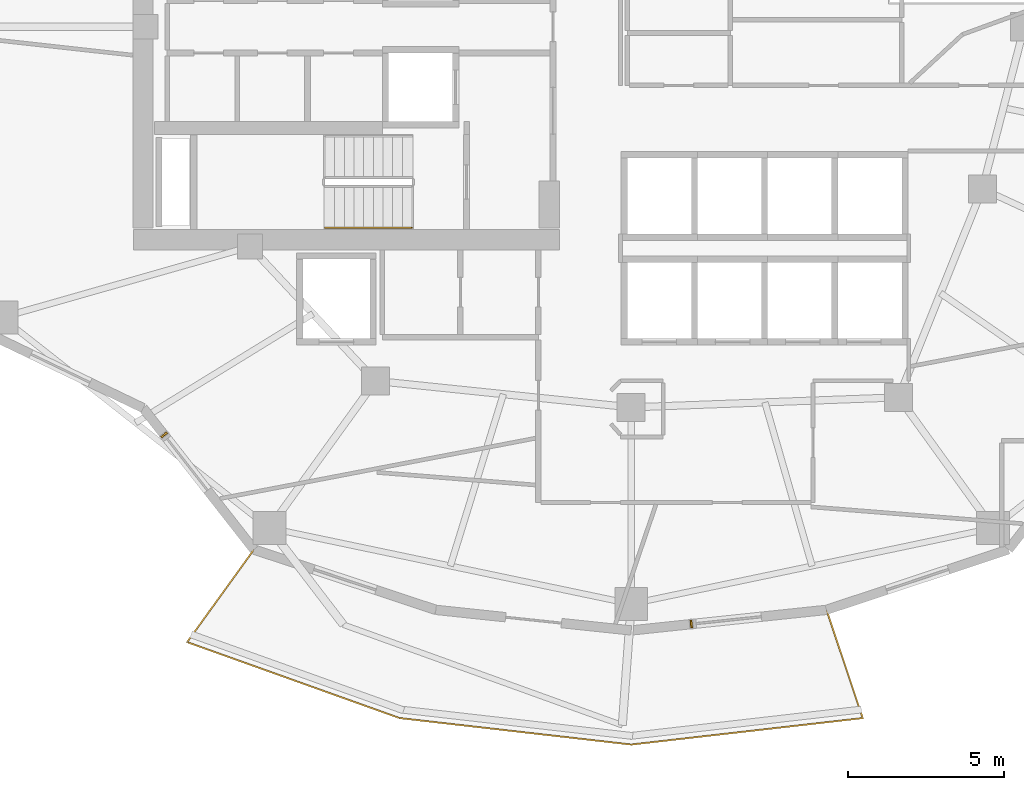
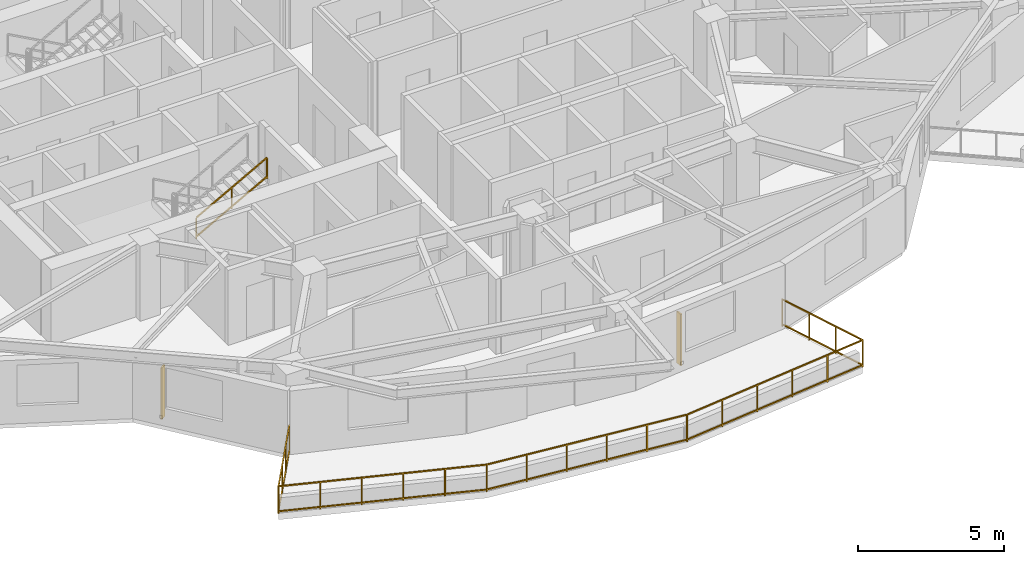
# One storey, part 10 of 14: 2 railings, 2 shading devices.
"""IFC4 building model written with IfcOpenShell, lengths in metres."""

from ifc_helpers import new_model, si_unit, direction, frame, origin, origin_2d, place, context, subcontext, project, spatial, rectangle, extrude, material, type_object, element, save


model = new_model("IFC4")

# Units and contexts
model_context = context("Model", 3, precision=1e-05, world=origin(), true_north=direction((0.0, 1.0)))
body_context = subcontext(model_context, "Body", "Model", "MODEL_VIEW")
ifc_project = project(units=[si_unit("LENGTHUNIT", "METRE"), si_unit("AREAUNIT", "SQUARE_METRE"), si_unit("VOLUMEUNIT", "CUBIC_METRE"), si_unit("PLANEANGLEUNIT", "RADIAN"), si_unit("MASSUNIT", "GRAM", prefix="KILO")], contexts=[model_context])

# Site, building, storey
site_placement = place(None, origin())
site = spatial("IfcSite", under=ifc_project, at=site_placement, CompositionType="ELEMENT")
building_placement = place(site_placement, origin())
building = spatial("IfcBuilding", under=site, at=building_placement, Name="Kolvaren Gate Tower and Convention Centre", CompositionType="ELEMENT")
storey_placement = place(building_placement, frame((0.0, 0.0, 112.10009765625)))
storey = spatial("IfcBuildingStorey", under=building, at=storey_placement, Name="L27", CompositionType="ELEMENT", Elevation=112.10009765625)

# Railings
ifc_material_1 = material(Name="Brushed Stainless Steel Grade 316L", Category="steel")
railing_type_1 = type_object("IfcRailingType", Name="ARCH-RL-GUARD-1150", PredefinedType="GUARDRAIL", material=ifc_material_1)
railing_1_placement = place(storey_placement, frame((18.03125, 10.242431640625, 0.0)))
element("IfcRailing", 1, at=railing_1_placement, inside=storey, type_object=railing_type_1, Name="Tower L27 Terrace Perimeter Guardrail GR-3", PredefinedType="GUARDRAIL", context=body_context, shape_type="SweptSolid", body=[
    extrude(rectangle(XDim=0.048095703125, YDim=0.048095703125, at=origin_2d()), frame((-0.016357421875, -0.022705078125, 1.1259765625), z_axis=(-0.585212870465, -0.810879705161, 0.0), x_axis=(0.810879705161, -0.585212870465, 0.0)), (0.0, 0.0, 1.0), 3.603759765625),
    extrude(rectangle(XDim=0.048095703125, YDim=0.048095703125, at=origin_2d()), frame((-0.016357421875, -0.022705078125, 0.083984375), z_axis=(-0.585212870465, -0.810879705161, 0.0), x_axis=(0.810879705161, -0.585212870465, 0.0)), (0.0, 0.0, 1.0), 3.603759765625),
    extrude(rectangle(XDim=0.048095703125, YDim=0.048095703125, at=origin_2d()), frame((-2.115478515625, -2.977294921875, 1.1259765625), z_axis=(0.941628873241, -0.336652736627, 0.0), x_axis=(0.336652736627, 0.941628873241, 0.0)), (0.0, 0.0, 1.0), 7.17919921875),
    extrude(rectangle(XDim=0.048095703125, YDim=0.048095703125, at=origin_2d()), frame((-2.115478515625, -2.977294921875, 0.083984375), z_axis=(0.941628873241, -0.336652736627, 0.0), x_axis=(0.336652736627, 0.941628873241, 0.0)), (0.0, 0.0, 1.0), 7.17919921875),
    extrude(rectangle(XDim=0.048095703125, YDim=0.048095703125, at=origin_2d()), frame((4.698974609375, -5.40673828125, 1.1259765625), z_axis=(0.993523927361, -0.113623086387, 0.0), x_axis=(0.113623086387, 0.993523927361, 0.0)), (0.0, 0.0, 1.0), 7.414794921875),
    extrude(rectangle(XDim=0.048095703125, YDim=0.048095703125, at=origin_2d()), frame((4.698974609375, -5.40673828125, 0.083984375), z_axis=(0.993523927361, -0.113623086387, 0.0), x_axis=(0.113623086387, 0.993523927361, 0.0)), (0.0, 0.0, 1.0), 7.414794921875),
    extrude(rectangle(XDim=0.048095703125, YDim=0.048095703125, at=origin_2d()), frame((12.12158203125, -6.249267578125, 1.1259765625), z_axis=(0.993523927361, 0.113623086387, 0.0), x_axis=(-0.113623086387, 0.993523927361, 0.0)), (0.0, 0.0, 1.0), 7.414794921875),
    extrude(rectangle(XDim=0.048095703125, YDim=0.048095703125, at=origin_2d()), frame((12.12158203125, -6.249267578125, 0.083984375), z_axis=(0.993523927361, 0.113623086387, 0.0), x_axis=(-0.113623086387, 0.993523927361, 0.0)), (0.0, 0.0, 1.0), 7.414794921875),
    extrude(rectangle(XDim=0.048095703125, YDim=0.048095703125, at=origin_2d()), frame((19.507568359375, -5.376953125, 1.1259765625), z_axis=(-0.317588247294, 0.948228719867, 0.0), x_axis=(-0.948228719867, -0.317588247294, 0.0)), (0.0, 0.0, 1.0), 3.603759765625),
    extrude(rectangle(XDim=0.048095703125, YDim=0.048095703125, at=origin_2d()), frame((19.507568359375, -5.376953125, 0.083984375), z_axis=(-0.317588247294, 0.948228719867, 0.0), x_axis=(-0.948228719867, -0.317588247294, 0.0)), (0.0, 0.0, 1.0), 3.603759765625),
    extrude(rectangle(XDim=0.0419921875, YDim=0.0419921875, at=origin_2d()), origin(), (0.0, 0.0, 1.0), 1.14990234375),
    extrude(rectangle(XDim=0.0419921875, YDim=0.0419921875, at=origin_2d()), frame((-2.141845703125, -2.9677734375, 0.0)), (0.0, 0.0, 1.0), 1.14990234375),
    extrude(rectangle(XDim=0.0419921875, YDim=0.0419921875, at=origin_2d()), frame((-0.7138671875, -0.9892578125, 0.0)), (0.0, 0.0, 1.0), 1.099853515625),
    extrude(rectangle(XDim=0.0419921875, YDim=0.0419921875, at=origin_2d()), frame((-1.427978515625, -1.978515625, 0.0)), (0.0, 0.0, 1.0), 1.099853515625),
    extrude(rectangle(XDim=0.0419921875, YDim=0.0419921875, at=origin_2d()), frame((4.671142578125, -5.403564453125, 0.0)), (0.0, 0.0, 1.0), 1.14990234375),
    extrude(rectangle(XDim=0.0419921875, YDim=0.0419921875, at=origin_2d()), frame((-0.779296875, -3.454833984375, 0.0)), (0.0, 0.0, 1.0), 1.099853515625),
    extrude(rectangle(XDim=0.0419921875, YDim=0.0419921875, at=origin_2d()), frame((0.583251953125, -3.942138671875, 0.0)), (0.0, 0.0, 1.0), 1.099853515625),
    extrude(rectangle(XDim=0.0419921875, YDim=0.0419921875, at=origin_2d()), frame((1.946044921875, -4.42919921875, 0.0)), (0.0, 0.0, 1.0), 1.099853515625),
    extrude(rectangle(XDim=0.0419921875, YDim=0.0419921875, at=origin_2d()), frame((3.30859375, -4.91650390625, 0.0)), (0.0, 0.0, 1.0), 1.099853515625),
    extrude(rectangle(XDim=0.0419921875, YDim=0.0419921875, at=origin_2d()), frame((12.09375, -6.25244140625, 0.0)), (0.0, 0.0, 1.0), 1.14990234375),
    extrude(rectangle(XDim=0.0419921875, YDim=0.0419921875, at=origin_2d()), frame((6.15576171875, -5.5732421875, 0.0)), (0.0, 0.0, 1.0), 1.099853515625),
    extrude(rectangle(XDim=0.0419921875, YDim=0.0419921875, at=origin_2d()), frame((7.64013671875, -5.7431640625, 0.0)), (0.0, 0.0, 1.0), 1.099853515625),
    extrude(rectangle(XDim=0.0419921875, YDim=0.0419921875, at=origin_2d()), frame((9.124755859375, -5.912841796875, 0.0)), (0.0, 0.0, 1.0), 1.099853515625),
    extrude(rectangle(XDim=0.0419921875, YDim=0.0419921875, at=origin_2d()), frame((10.609130859375, -6.082763671875, 0.0)), (0.0, 0.0, 1.0), 1.099853515625),
    extrude(rectangle(XDim=0.0419921875, YDim=0.0419921875, at=origin_2d()), frame((19.516357421875, -5.403564453125, 0.0)), (0.0, 0.0, 1.0), 1.14990234375),
    extrude(rectangle(XDim=0.0419921875, YDim=0.0419921875, at=origin_2d()), frame((13.578369140625, -6.082763671875, 0.0)), (0.0, 0.0, 1.0), 1.099853515625),
    extrude(rectangle(XDim=0.0419921875, YDim=0.0419921875, at=origin_2d()), frame((15.062744140625, -5.912841796875, 0.0)), (0.0, 0.0, 1.0), 1.099853515625),
    extrude(rectangle(XDim=0.0419921875, YDim=0.0419921875, at=origin_2d()), frame((16.54736328125, -5.7431640625, 0.0)), (0.0, 0.0, 1.0), 1.099853515625),
    extrude(rectangle(XDim=0.0419921875, YDim=0.0419921875, at=origin_2d()), frame((18.03173828125, -5.5732421875, 0.0)), (0.0, 0.0, 1.0), 1.099853515625),
    extrude(rectangle(XDim=0.0419921875, YDim=0.0419921875, at=origin_2d()), frame((18.35400390625, -1.93310546875, 0.0)), (0.0, 0.0, 1.0), 1.14990234375),
    extrude(rectangle(XDim=0.0419921875, YDim=0.0419921875, at=origin_2d()), frame((19.12890625, -4.246826171875, 0.0)), (0.0, 0.0, 1.0), 1.099853515625),
    extrude(rectangle(XDim=0.0419921875, YDim=0.0419921875, at=origin_2d()), frame((18.741455078125, -3.08984375, 0.0)), (0.0, 0.0, 1.0), 1.099853515625),
])
railing_type_2 = type_object("IfcRailingType", Name="ARCH-RL-HANDRAIL-920", PredefinedType="HANDRAIL", material=ifc_material_1)
railing_2_placement = place(storey_placement, frame((20.31005859375, 20.550048828125, 1.869873046875)))
element("IfcRailing", 2, at=railing_2_placement, inside=storey, type_object=railing_type_2, Name="L27 ST-T2 stair handrail 2", PredefinedType="HANDRAIL", context=body_context, shape_type="SweptSolid", body=[
    extrude(rectangle(XDim=0.048095703125, YDim=0.048095703125, at=origin_2d()), frame((0.0, 0.0, 0.8759765625), z_axis=(0.876811365212, 0.0, 0.480834513982), x_axis=(0.0, 1.0, 0.0)), (0.0, 0.0, 1.0), 3.18212890625),
    extrude(rectangle(XDim=0.048095703125, YDim=0.048095703125, at=origin_2d()), frame((0.0, 0.0, 0.083984375), z_axis=(0.876811365212, 0.0, 0.480834513982), x_axis=(0.0, 1.0, 0.0)), (0.0, 0.0, 1.0), 3.18212890625),
    extrude(rectangle(XDim=0.0419921875, YDim=0.0419921875, at=origin_2d()), origin(), (0.0, 0.0, 1.0), 0.849853515625),
    extrude(rectangle(XDim=0.0419921875, YDim=0.0419921875, at=origin_2d()), frame((2.7900390625, 0.0, 1.530029296875)), (0.0, 0.0, 1.0), 0.849853515625),
    extrude(rectangle(XDim=0.0419921875, YDim=0.0419921875, at=origin_2d()), frame((1.39501953125, 0.0, 0.76513671875)), (0.0, 0.0, 1.0), 0.849853515625),
])

# Shading devices
ifc_material_2 = material(Name="Kiln-Fired Bogota Terracotta Ceramic Louvre Profile", Category="masonry")
shading_device_type = type_object("IfcShadingDeviceType", Name="ARCH-SHD-FIN-180", PredefinedType="JALOUSIE", material=ifc_material_2)
for number, where, z_axis, x_axis, name in (
    (3, (15.1533203125, 13.918701171875, 0.219970703125), (0.0, 0.0, 1.0), (0.616424499081, -0.787414018756, 0.0), "Ceramic Vertical Brise-Soleil Fin FN-L27-15"),
    (4, (32.05126953125, 7.852783203125, 0.219970703125), (0.0, 0.0, 1.0), (0.994499981166, 0.104736753152, 0.0), "Ceramic Vertical Brise-Soleil Fin FN-L27-18"),
):
    element("IfcShadingDevice", number, at=place(storey_placement, frame(where, z_axis=z_axis, x_axis=x_axis)), inside=storey, type_object=shading_device_type, Name=name, PredefinedType="JALOUSIE", context=body_context, shape_type="SweptSolid", body=[
        extrude(rectangle(XDim=0.06005859375, YDim=0.239990234375, at=origin_2d()), origin(), (0.0, 0.0, 1.0), 2.14990234375),
    ])

save(model, "model.ifc")
